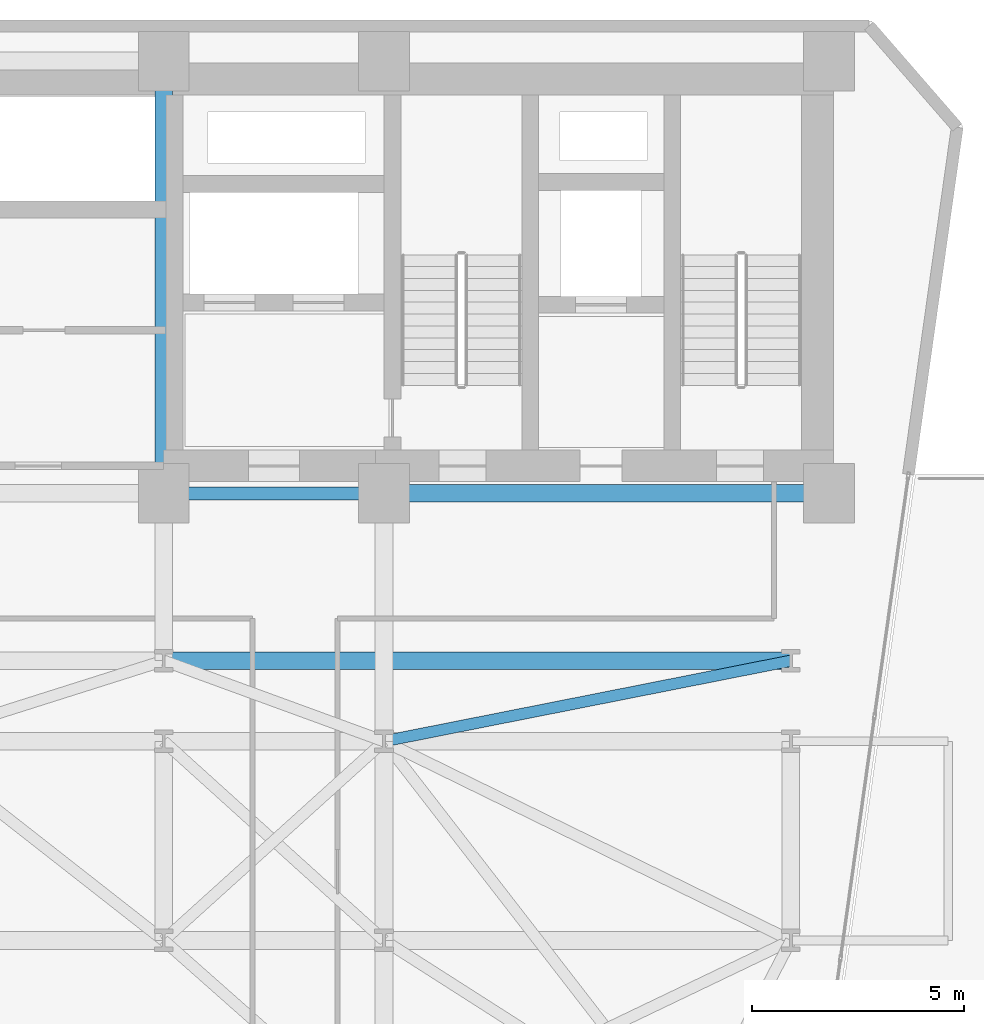
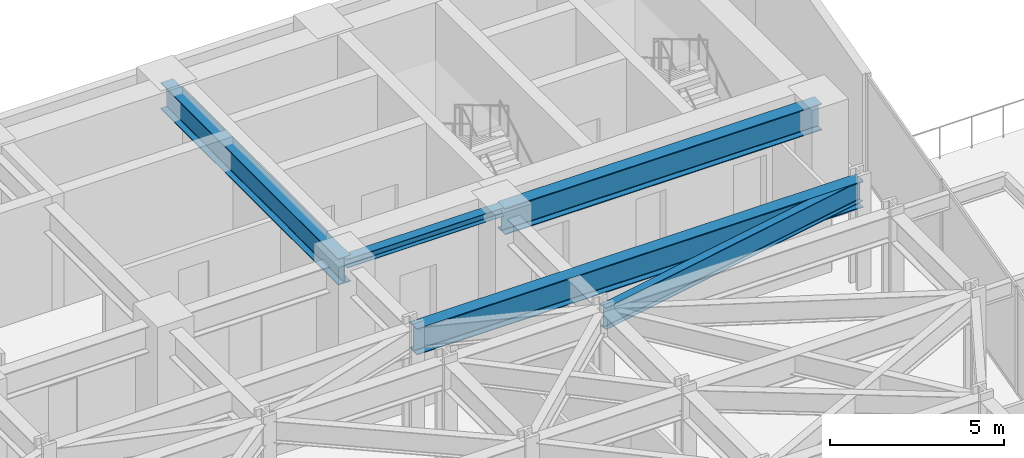
# One storey, part 13 of 25: 5 beams.
"""IFC4 building model written with IfcOpenShell, lengths in metres."""

from ifc_helpers import new_model, si_unit, direction, frame, origin, origin_2d, place, context, subcontext, project, spatial, i_section, extrude, material, material_profile, profile_set, type_object, element, save


model = new_model("IFC4")

# Units and contexts
model_context = context("Model", 3, precision=1e-05, world=origin(), true_north=direction((0.0, 1.0)))
body_context = subcontext(model_context, "Body", "Model", "MODEL_VIEW")
ifc_project = project(units=[si_unit("LENGTHUNIT", "METRE"), si_unit("AREAUNIT", "SQUARE_METRE"), si_unit("VOLUMEUNIT", "CUBIC_METRE"), si_unit("PLANEANGLEUNIT", "RADIAN"), si_unit("MASSUNIT", "GRAM", prefix="KILO")], contexts=[model_context])

# Site, building, storey
site_placement = place(None, origin())
site = spatial("IfcSite", under=ifc_project, at=site_placement, CompositionType="ELEMENT")
building_placement = place(site_placement, origin())
building = spatial("IfcBuilding", under=site, at=building_placement, Name="Kravanh Interchange Tower", CompositionType="ELEMENT")
storey_placement = place(building_placement, frame((0.0, 0.0, 29.5)))
storey = spatial("IfcBuildingStorey", under=building, at=storey_placement, Name="L06", CompositionType="ELEMENT", Elevation=29.5)

# Beams
ifc_material_1 = material(Name="Structural Steel S355", Category="steel")
ifc_material_profile_1 = material_profile(ifc_material_1, i_section(OverallWidth=0.41796875, OverallDepth=0.927001953125, WebThickness=0.019287109375, FlangeThickness=0.031982421875, FilletRadius=0.028076171875, at=origin_2d()), Name="W36X231")
ifc_profile_set_1 = profile_set([ifc_material_profile_1], Name="Structural Steel S355")
beam_type_1 = type_object("IfcBeamType", Name="Floor Beam W36X231 Structural Steel S355", PredefinedType="BEAM", material=ifc_profile_set_1)
beam_1_placement = place(storey_placement, frame((66.5, 37.35009765625, 3.276611328125), z_axis=(-1.0, 0.0, 0.0), x_axis=(0.0, -1.0, 0.0)))
element("IfcBeam", 1, at=beam_1_placement, inside=storey, type_object=beam_type_1, Name="L06 Primary Floor Girder 5", PredefinedType="BEAM", context=body_context, shape_type="SweptSolid", body=[
    extrude(i_section(OverallWidth=0.41796875, OverallDepth=0.927001953125, WebThickness=0.019287109375, FlangeThickness=0.031982421875, FilletRadius=0.028076171875, at=origin_2d()), origin(), (0.0, 0.0, 1.0), 10.5),
])
beam_2_placement = place(storey_placement, frame((50.800048828125, 47.550048828125, 3.276611328125), z_axis=(0.0, -1.0, 0.0), x_axis=(1.0, 0.0, 0.0)))
element("IfcBeam", 2, at=beam_2_placement, inside=storey, type_object=beam_type_1, Name="L06 Primary Floor Girder 9", PredefinedType="BEAM", context=body_context, shape_type="SweptSolid", body=[
    extrude(i_section(OverallWidth=0.41796875, OverallDepth=0.927001953125, WebThickness=0.019287109375, FlangeThickness=0.031982421875, FilletRadius=0.028076171875, at=origin_2d()), origin(), (0.0, 0.0, 1.0), 10.199951171875),
])
beam_3_placement = place(storey_placement, frame((50.800048828125, 33.39990234375, 3.276611328125), z_axis=(1.0, 0.0, 0.0), x_axis=(0.0, 1.0, 0.0)))
element("IfcBeam", 3, at=beam_3_placement, inside=storey, type_object=beam_type_1, Name="L06 Primary Floor Girder 146", PredefinedType="BEAM", context=body_context, shape_type="SweptSolid", body=[
    extrude(i_section(OverallWidth=0.41796875, OverallDepth=0.927001953125, WebThickness=0.019287109375, FlangeThickness=0.031982421875, FilletRadius=0.028076171875, at=origin_2d()), origin(), (0.0, 0.0, 1.0), 14.800048828125),
])
ifc_material_2 = material(Name="Structural Steel S355", Category="steel")
ifc_material_profile_2 = material_profile(ifc_material_2, i_section(OverallWidth=0.304931640625, OverallDepth=0.306884765625, WebThickness=0.010009765625, FlangeThickness=0.015380859375, FilletRadius=0.014892578125, at=origin_2d()), Name="W12X65")
ifc_profile_set_2 = profile_set([ifc_material_profile_2], Name="Structural Steel S355")
beam_type_2 = type_object("IfcBeamType", Name="Floor Lintel W12X65 Structural Steel S355", PredefinedType="LINTEL", material=ifc_profile_set_2)
beam_4_placement = place(storey_placement, frame((50.800048828125, 37.35009765625, 3.58642578125), z_axis=(1.0, 0.0, 0.0), x_axis=(0.0, 1.0, 0.0)))
element("IfcBeam", 4, at=beam_4_placement, inside=storey, type_object=beam_type_2, Name="L06 Core Coupling Lintel 1", PredefinedType="LINTEL", context=body_context, shape_type="SweptSolid", body=[
    extrude(i_section(OverallWidth=0.304931640625, OverallDepth=0.306884765625, WebThickness=0.010009765625, FlangeThickness=0.015380859375, FilletRadius=0.014892578125, at=origin_2d()), origin(), (0.0, 0.0, 1.0), 5.199951171875),
])
ifc_material_3 = material(Name="Structural Steel S355", Category="steel")
ifc_material_profile_3 = material_profile(ifc_material_3, i_section(OverallWidth=0.26708984375, OverallDepth=0.761962890625, WebThickness=0.014404296875, FlangeThickness=0.021484375, FilletRadius=0.02490234375, at=origin_2d()), Name="W30X116")
ifc_profile_set_3 = profile_set([ifc_material_profile_3], Name="Structural Steel S355")
beam_type_3 = type_object("IfcBeamType", Name="Floor Spandrel W30X116 Structural Steel S355", PredefinedType="SPANDREL", material=ifc_profile_set_3)
beam_5_placement = place(storey_placement, frame((56.0, 31.5, 3.35888671875), z_axis=(0.980974000807, 0.194139150457, 0.0), x_axis=(-0.194139150457, 0.980974000807, 0.0)))
element("IfcBeam", 5, at=beam_5_placement, inside=storey, type_object=beam_type_3, Name="L06 Perimeter Spandrel 120", PredefinedType="SPANDREL", context=body_context, shape_type="SweptSolid", body=[
    extrude(i_section(OverallWidth=0.26708984375, OverallDepth=0.761962890625, WebThickness=0.014404296875, FlangeThickness=0.021484375, FilletRadius=0.02490234375, at=origin_2d()), origin(), (0.0, 0.0, 1.0), 9.786376953125),
])

save(model, "model.ifc")
